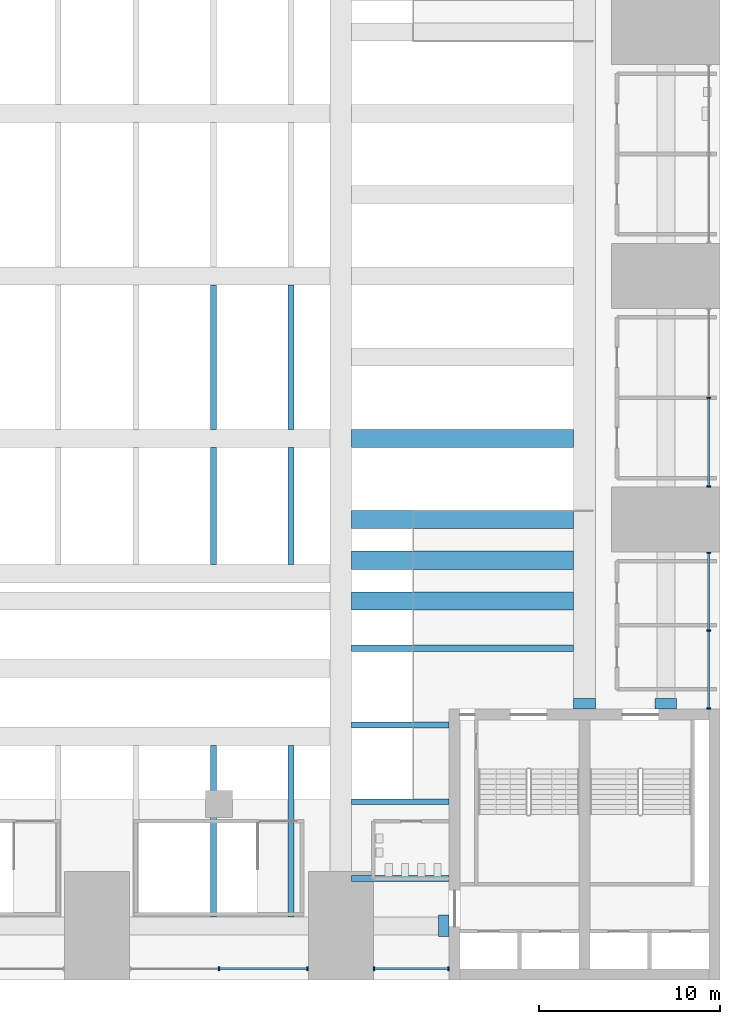
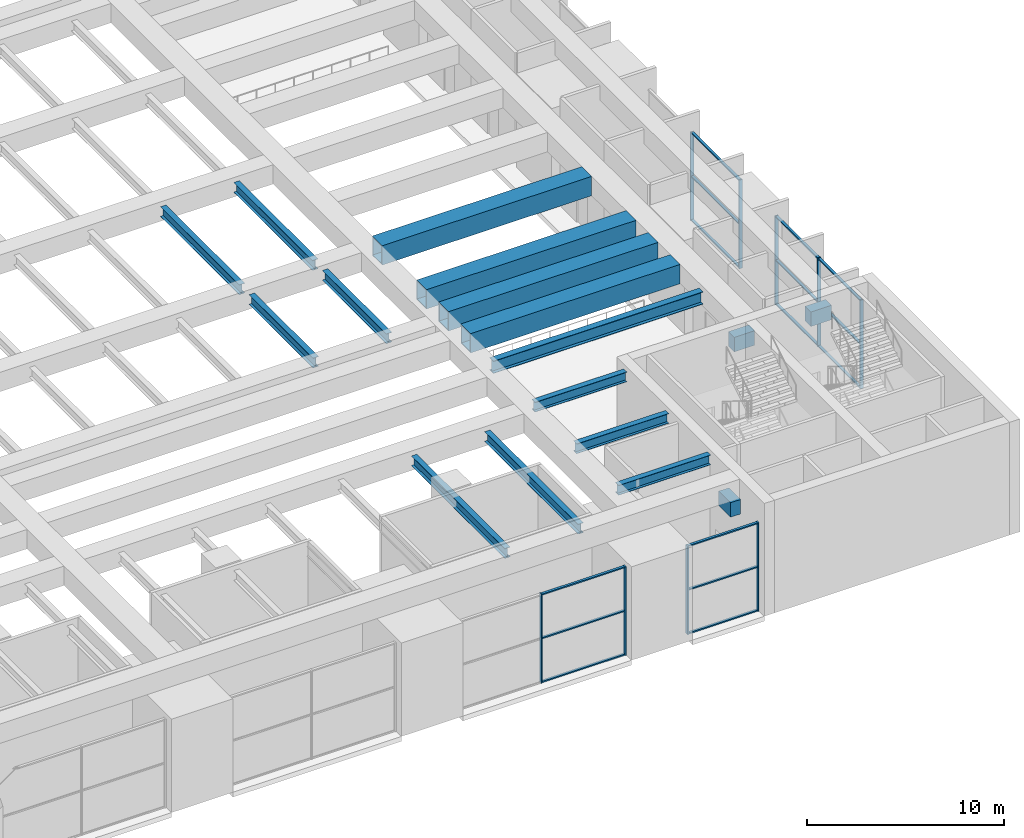
# One storey, part 14 of 45: 31 members, 10 beams, 4 elements without a shape of their own.
"""IFC4 building model written with IfcOpenShell, lengths in metres."""

import ifcopenshell
import ifcopenshell.guid

model = None  # the IFC model being written
_history = None  # IfcOwnerHistory: only IFC2X3 demands one
_inside = {}  # id of a spatial element -> (the spatial element, [elements in it])
_under = {}  # id of a project, library or spatial element -> (it, [spatial elements below it])
_declared = {}  # id of a project -> (the project, [libraries it declares])
_typed = {}  # id of a type object -> (the type object, [elements of that type])
_made_of = {}  # id of a material, layer set ... -> (it, [elements and type objects made of it])


def new_model(schema):
    """Start an empty IFC model of exactly this schema.

    Asked for "IFC4X3", IfcOpenShell would pick the latest addendum, in which some entities
    have other attributes; the version numbers below select the first issue.
    IFC2X3 requires an IfcOwnerHistory on every rooted entity: one is made here for all.
    """
    global model, _history
    if schema == "IFC4X3":
        model = ifcopenshell.file(schema_version=(4, 3, 0, 0))
    else:
        model = ifcopenshell.file(schema=schema)
    _inside.clear()
    _under.clear()
    _declared.clear()
    _typed.clear()
    _made_of.clear()
    _history = None
    if model.schema == "IFC2X3":
        org = make("IfcOrganization", Name="unknown")
        user = make(
            "IfcPersonAndOrganization",
            ThePerson=make("IfcPerson", FamilyName="unknown"),
            TheOrganization=org,
        )
        app = make(
            "IfcApplication",
            ApplicationDeveloper=org,
            Version="unknown",
            ApplicationFullName="unknown",
            ApplicationIdentifier="unknown",
        )
        _history = make(
            "IfcOwnerHistory",
            OwningUser=user,
            OwningApplication=app,
            ChangeAction="ADDED",
            CreationDate=0,
        )
    return model


def make(cls, **values):
    """One entity of the class cls with the attributes given. An attribute that is None is left unset."""
    return model.create_entity(
        cls, **{name: value for name, value in values.items() if value is not None}
    )


def rooted(cls, **values):
    """An entity with a GlobalId (a new one), such as an element, a storey or a relation."""
    return make(cls, GlobalId=ifcopenshell.guid.new(), OwnerHistory=_history, **values)


def si_unit(unit_type, name, prefix=None):
    """IfcSIUnit, for example si_unit("LENGTHUNIT", "METRE", prefix="MILLI")."""
    return make("IfcSIUnit", UnitType=unit_type, Prefix=prefix, Name=name)


def assignment(units):
    """IfcUnitAssignment: the units of a project."""
    return None if units is None else make("IfcUnitAssignment", Units=units)


def point(xyz):
    """IfcCartesianPoint."""
    return None if xyz is None else make("IfcCartesianPoint", Coordinates=xyz)


def direction(xyz):
    """IfcDirection."""
    return None if xyz is None else make("IfcDirection", DirectionRatios=xyz)


def frame(location, z_axis=None, x_axis=None):
    """IfcAxis2Placement3D, a coordinate frame: its origin and axes. An axis left out is left unset."""
    return make(
        "IfcAxis2Placement3D",
        Location=point(location),
        Axis=direction(z_axis),
        RefDirection=direction(x_axis),
    )


def frame_2d(location, x_axis=None):
    """IfcAxis2Placement2D, a coordinate frame in the plane: its origin and x axis."""
    return make(
        "IfcAxis2Placement2D", Location=point(location), RefDirection=direction(x_axis)
    )


def origin():
    """The frame at (0, 0, 0) with its axes left unset."""
    return frame((0.0, 0.0, 0.0))


def origin_2d():
    """The frame at (0, 0) in the plane with its x axis left unset."""
    return frame_2d((0.0, 0.0))


def place(relative_to, where):
    """IfcLocalPlacement: puts the frame where relative to a parent placement (None: the world)."""
    return make(
        "IfcLocalPlacement", PlacementRelTo=relative_to, RelativePlacement=where
    )


def context(
    kind, dimensions, precision=None, world=None, true_north=None, identifier=None
):
    """IfcGeometricRepresentationContext, for example the 3D "Model" context."""
    return make(
        "IfcGeometricRepresentationContext",
        ContextIdentifier=identifier,
        ContextType=kind,
        CoordinateSpaceDimension=dimensions,
        Precision=precision,
        WorldCoordinateSystem=world,
        TrueNorth=true_north,
    )


def subcontext(parent, identifier, kind, view, scale=None):
    """IfcGeometricRepresentationSubContext, for example "Body" below "Model"."""
    return make(
        "IfcGeometricRepresentationSubContext",
        ContextIdentifier=identifier,
        ContextType=kind,
        ParentContext=parent,
        TargetScale=scale,
        TargetView=view,
    )


def project(units=None, contexts=None):
    """IfcProject with its units and contexts."""
    return rooted(
        "IfcProject",
        Name="project",
        RepresentationContexts=contexts,
        UnitsInContext=assignment(units),
    )


def spatial(cls, under=None, at=None, **own):
    """A site, building, storey or space (cls), placed at a placement, below another one or the project."""
    s = rooted(cls, ObjectPlacement=at, **own)
    if under is not None:
        _under.setdefault(under.id(), (under, []))[1].append(s)
    return s


def profile(cls, at=None, kind="AREA", **sizes):
    """A parametric profile (cls). Its sizes go by their IFC names, for example OverallWidth=200.0."""
    return make(cls, ProfileType=kind, Position=at, **sizes)


def rectangle(**sizes):
    """IfcRectangleProfileDef."""
    return profile("IfcRectangleProfileDef", **sizes)


def hollow_rectangle(**sizes):
    """IfcRectangleHollowProfileDef."""
    return profile("IfcRectangleHollowProfileDef", **sizes)


def i_section(**sizes):
    """IfcIShapeProfileDef."""
    return profile("IfcIShapeProfileDef", **sizes)


def extrude(swept, where, along, depth):
    """IfcExtrudedAreaSolid: the profile swept, set in the frame where, extruded along a direction by depth."""
    return make(
        "IfcExtrudedAreaSolid",
        SweptArea=swept,
        Position=where,
        ExtrudedDirection=direction(along),
        Depth=depth,
    )


def shape(context_of_items, identifier, shape_type, items):
    """IfcShapeRepresentation: the items that make up one representation, for example the "Body"."""
    return make(
        "IfcShapeRepresentation",
        ContextOfItems=context_of_items,
        RepresentationIdentifier=identifier,
        RepresentationType=shape_type,
        Items=items,
    )


def material(Name=None, Category=None):
    """IfcMaterial."""
    return make("IfcMaterial", Name=Name, Category=Category)


def layer(
    of_material, thickness, ventilated=None, Name=None, Category=None, Priority=None
):
    """IfcMaterialLayer: one layer of a wall or slab, of a material (None: an air gap)."""
    return make(
        "IfcMaterialLayer",
        Material=of_material,
        LayerThickness=thickness,
        IsVentilated=ventilated,
        Name=Name,
        Category=Category,
        Priority=Priority,
    )


def layer_set(layers, Name=None):
    """IfcMaterialLayerSet."""
    return make("IfcMaterialLayerSet", MaterialLayers=layers, LayerSetName=Name)


def material_profile(
    of_material, cross_section, Name=None, Category=None, Priority=None
):
    """IfcMaterialProfile: a cross section and its material."""
    return make(
        "IfcMaterialProfile",
        Name=Name,
        Material=of_material,
        Profile=cross_section,
        Priority=Priority,
        Category=Category,
    )


def profile_set(profiles, Name=None, composite=None):
    """IfcMaterialProfileSet."""
    return make(
        "IfcMaterialProfileSet",
        Name=Name,
        MaterialProfiles=profiles,
        CompositeProfile=composite,
    )


def made_of(thing, what):
    """Note that an element or type object is made of a material, layer set ...; save() writes the relation."""
    if what is not None:
        _made_of.setdefault(what.id(), (what, []))[1].append(thing)
    return thing


def type_object(cls, material=None, **own):
    """A type object (cls), such as IfcWallType, which elements share."""
    return made_of(rooted(cls, **own), material)


def element(
    cls,
    number,
    at=None,
    inside=None,
    cuts=None,
    type_object=None,
    material=None,
    context=None,
    identifier="Body",
    shape_type=None,
    held_by="IfcProductDefinitionShape",
    body=None,
    shapes=None,
    **own,
):
    """One element of the class cls, such as IfcWall. Its Tag is "e" and its number.

    at: its placement. inside: the storey or other place that contains it. cuts: it is an
    opening in that element (IfcRelVoidsElement). A single representation is given by context,
    identifier, shape_type and body (its items); several are given by shapes. held_by: the class
    of the entity that holds the representations. save() writes the other relations.
    """
    e = rooted(cls, Tag="e%d" % number, ObjectPlacement=at, **own)
    if body is not None:
        shapes = [shape(context, identifier, shape_type, body)]
    if shapes is not None:
        e.Representation = make(held_by, Representations=shapes)
    if inside is not None:
        _inside.setdefault(inside.id(), (inside, []))[1].append(e)
    if cuts is not None:
        rooted(
            "IfcRelVoidsElement", RelatingBuildingElement=cuts, RelatedOpeningElement=e
        )
    if type_object is not None:
        _typed.setdefault(type_object.id(), (type_object, []))[1].append(e)
    return made_of(e, material)


def aggregate(whole, parts):
    """IfcRelAggregates: a whole, such as a stair, and the parts it consists of."""
    return rooted("IfcRelAggregates", RelatingObject=whole, RelatedObjects=parts)


def save(model, path):
    """Write the relations noted so far, then the file.

    IfcRelAggregates (storeys below a building ...), IfcRelContainedInSpatialStructure (elements
    in a storey), IfcRelDefinesByType, IfcRelAssociatesMaterial and IfcRelDeclares: one each for
    every whole, place, type object, material and project.
    """
    for whole, parts in _under.values():
        aggregate(whole, parts)
    for where, things in _inside.values():
        rooted(
            "IfcRelContainedInSpatialStructure",
            RelatedElements=things,
            RelatingStructure=where,
        )
    for kind, things in _typed.values():
        rooted("IfcRelDefinesByType", RelatedObjects=things, RelatingType=kind)
    for what, things in _made_of.values():
        rooted("IfcRelAssociatesMaterial", RelatedObjects=things, RelatingMaterial=what)
    for by, libraries in _declared.values():
        rooted("IfcRelDeclares", RelatingContext=by, RelatedDefinitions=libraries)
    model.write(path)


model = new_model("IFC4")

# Units and contexts
model_context = context("Model", 3, precision=1e-05, world=origin(), true_north=direction((0.0, 1.0)))
body_context = subcontext(model_context, "Body", "Model", "MODEL_VIEW")
ifc_project = project(units=[si_unit("LENGTHUNIT", "METRE"), si_unit("AREAUNIT", "SQUARE_METRE"), si_unit("VOLUMEUNIT", "CUBIC_METRE"), si_unit("PLANEANGLEUNIT", "RADIAN"), si_unit("MASSUNIT", "GRAM", prefix="KILO")], contexts=[model_context])

# Site, building, storey
site_placement = place(None, origin())
site = spatial("IfcSite", under=ifc_project, at=site_placement, CompositionType="ELEMENT")
building_placement = place(site_placement, origin())
building = spatial("IfcBuilding", under=site, at=building_placement, Name="Corbelhall Arena Tower", CompositionType="ELEMENT")
storey_placement = place(building_placement, frame((0.0, 0.0, 37.0)))
storey = spatial("IfcBuildingStorey", under=building, at=storey_placement, Name="L05", CompositionType="ELEMENT", Elevation=37.0)

# Curtain wall, members
ifc_material_1 = material(Name="Aluminium black anodised", Category="aluminium")
ifc_layer = layer(ifc_material_1, 0.239990234375)
ifc_layer_set = layer_set([ifc_layer], Name="EV-CW4 Arena concourse glazing")
curtain_wall_type = type_object("IfcCurtainWallType", Name="EV-CW4 Arena concourse glazing", PredefinedType="NOTDEFINED", material=ifc_layer_set)
curtain_wall_1_placement = place(storey_placement, origin())
curtain_wall_1 = element("IfcCurtainWall", 1, at=curtain_wall_1_placement, inside=storey, type_object=curtain_wall_type, Name="Curtain wall CW4", PredefinedType="NOTDEFINED")
ifc_material_profile_1 = material_profile(ifc_material_1, rectangle(XDim=0.199951171875, YDim=0.074951171875, at=origin_2d()))
ifc_profile_set_1 = profile_set([ifc_material_profile_1], Name="Aluminium black anodised")
member_type_1 = type_object("IfcMemberType", Name="EV-CW4-MULLION", PredefinedType="MULLION", material=ifc_profile_set_1)
member_1_placement = place(storey_placement, frame((20.25, -38.3798828125, 0.0), z_axis=(0.0, 0.0, 1.0), x_axis=(0.0, 1.0, 0.0)))
member_1 = element("IfcMember", 2, at=member_1_placement, type_object=member_type_1, Name="CW4 mullion 2", PredefinedType="MULLION", context=body_context, shape_type="SweptSolid", body=[
    extrude(rectangle(XDim=0.199951171875, YDim=0.074951171875, at=origin_2d()), origin(), (0.0, 0.0, 1.0), 5.5),
])
member_2_placement = place(storey_placement, frame((25.16259765625, -38.3798828125, 0.0), z_axis=(0.0, 0.0, 1.0), x_axis=(0.0, 1.0, 0.0)))
member_2 = element("IfcMember", 3, at=member_2_placement, type_object=member_type_1, Name="CW4 mullion 3", PredefinedType="MULLION", context=body_context, shape_type="SweptSolid", body=[
    extrude(rectangle(XDim=0.199951171875, YDim=0.074951171875, at=origin_2d()), origin(), (0.0, 0.0, 1.0), 5.5),
])

curtain_wall_2_placement = place(storey_placement, origin())
curtain_wall_2 = element("IfcCurtainWall", 4, at=curtain_wall_2_placement, inside=storey, type_object=curtain_wall_type, Name="Curtain wall CW4A", PredefinedType="NOTDEFINED")
member_3_placement = place(storey_placement, frame((28.83740234375, -38.3798828125, 0.0), z_axis=(0.0, 0.0, 1.0), x_axis=(0.0, 1.0, 0.0)))
member_3 = element("IfcMember", 5, at=member_3_placement, type_object=member_type_1, Name="CW4A mullion 1", PredefinedType="MULLION", context=body_context, shape_type="SweptSolid", body=[
    extrude(rectangle(XDim=0.199951171875, YDim=0.074951171875, at=origin_2d()), origin(), (0.0, 0.0, 1.0), 5.5),
])
member_4_placement = place(storey_placement, frame((32.96240234375, -38.3798828125, 0.0), z_axis=(0.0, 0.0, 1.0), x_axis=(0.0, 1.0, 0.0)))
member_4 = element("IfcMember", 6, at=member_4_placement, type_object=member_type_1, Name="CW4A mullion 2", PredefinedType="MULLION", context=body_context, shape_type="SweptSolid", body=[
    extrude(rectangle(XDim=0.199951171875, YDim=0.074951171875, at=origin_2d()), origin(), (0.0, 0.0, 1.0), 5.5),
])

curtain_wall_3_placement = place(storey_placement, origin())
curtain_wall_3 = element("IfcCurtainWall", 7, at=curtain_wall_3_placement, inside=storey, type_object=curtain_wall_type, Name="Curtain wall CW4B", PredefinedType="NOTDEFINED")
member_5_placement = place(storey_placement, frame((47.3798828125, -23.96240234375, 0.0), z_axis=(0.0, 0.0, 1.0), x_axis=(-1.0, 0.0, 0.0)))
member_5 = element("IfcMember", 8, at=member_5_placement, type_object=member_type_1, Name="CW4B mullion 1", PredefinedType="MULLION", context=body_context, shape_type="SweptSolid", body=[
    extrude(rectangle(XDim=0.199951171875, YDim=0.074951171875, at=origin_2d()), origin(), (0.0, 0.0, 1.0), 5.5),
])
member_6_placement = place(storey_placement, frame((47.3798828125, -19.64990234375, 0.0), z_axis=(0.0, 0.0, 1.0), x_axis=(-1.0, 0.0, 0.0)))
member_6 = element("IfcMember", 9, at=member_6_placement, type_object=member_type_1, Name="CW4B mullion 2", PredefinedType="MULLION", context=body_context, shape_type="SweptSolid", body=[
    extrude(rectangle(XDim=0.199951171875, YDim=0.074951171875, at=origin_2d()), origin(), (0.0, 0.0, 1.0), 5.5),
])
member_7_placement = place(storey_placement, frame((47.3798828125, -15.33740234375, 0.0), z_axis=(0.0, 0.0, 1.0), x_axis=(-1.0, 0.0, 0.0)))
member_7 = element("IfcMember", 10, at=member_7_placement, type_object=member_type_1, Name="CW4B mullion 3", PredefinedType="MULLION", context=body_context, shape_type="SweptSolid", body=[
    extrude(rectangle(XDim=0.199951171875, YDim=0.074951171875, at=origin_2d()), origin(), (0.0, 0.0, 1.0), 5.5),
])

curtain_wall_4_placement = place(storey_placement, origin())
curtain_wall_4 = element("IfcCurtainWall", 11, at=curtain_wall_4_placement, inside=storey, type_object=curtain_wall_type, Name="Curtain wall CW4", PredefinedType="NOTDEFINED")
member_8_placement = place(storey_placement, frame((47.3798828125, -11.66259765625, 0.0), z_axis=(0.0, 0.0, 1.0), x_axis=(-1.0, 0.0, 0.0)))
member_8 = element("IfcMember", 12, at=member_8_placement, type_object=member_type_1, Name="CW4 mullion 1", PredefinedType="MULLION", context=body_context, shape_type="SweptSolid", body=[
    extrude(rectangle(XDim=0.199951171875, YDim=0.074951171875, at=origin_2d()), origin(), (0.0, 0.0, 1.0), 5.5),
])
member_9_placement = place(storey_placement, frame((47.3798828125, -6.75, 0.0), z_axis=(0.0, 0.0, 1.0), x_axis=(-1.0, 0.0, 0.0)))
member_9 = element("IfcMember", 13, at=member_9_placement, type_object=member_type_1, Name="CW4 mullion 2", PredefinedType="MULLION", context=body_context, shape_type="SweptSolid", body=[
    extrude(rectangle(XDim=0.199951171875, YDim=0.074951171875, at=origin_2d()), origin(), (0.0, 0.0, 1.0), 5.5),
])

# Member
ifc_material_profile_2 = material_profile(ifc_material_1, rectangle(XDim=0.14990234375, YDim=0.074951171875, at=origin_2d()))
ifc_profile_set_2 = profile_set([ifc_material_profile_2], Name="Aluminium black anodised")
member_type_2 = type_object("IfcMemberType", Name="EV-CW4-TRANSOM", PredefinedType="USERDEFINED", material=ifc_profile_set_2)
member_10_placement = place(storey_placement, frame((20.28759765625, -38.3798828125, 0.03759765625), z_axis=(1.0, 0.0, 0.0), x_axis=(0.0, 1.0, 0.0)))
member_10 = element("IfcMember", 14, at=member_10_placement, type_object=member_type_2, Name="CW4 transom 2.1", ObjectType="transom", PredefinedType="USERDEFINED", context=body_context, shape_type="SweptSolid", body=[
    extrude(rectangle(XDim=0.14990234375, YDim=0.074951171875, at=origin_2d()), origin(), (0.0, 0.0, 1.0), 4.83740234375),
])

member_11_placement = place(storey_placement, frame((20.28759765625, -38.3798828125, 2.75), z_axis=(1.0, 0.0, 0.0), x_axis=(0.0, 1.0, 0.0)))
member_11 = element("IfcMember", 15, at=member_11_placement, type_object=member_type_2, Name="CW4 transom 2.2", ObjectType="transom", PredefinedType="USERDEFINED", context=body_context, shape_type="SweptSolid", body=[
    extrude(rectangle(XDim=0.14990234375, YDim=0.074951171875, at=origin_2d()), origin(), (0.0, 0.0, 1.0), 4.83740234375),
])

member_12_placement = place(storey_placement, frame((20.28759765625, -38.3798828125, 5.46240234375), z_axis=(1.0, 0.0, 0.0), x_axis=(0.0, 1.0, 0.0)))
member_12 = element("IfcMember", 16, at=member_12_placement, type_object=member_type_2, Name="CW4 transom 2.3", ObjectType="transom", PredefinedType="USERDEFINED", context=body_context, shape_type="SweptSolid", body=[
    extrude(rectangle(XDim=0.14990234375, YDim=0.074951171875, at=origin_2d()), origin(), (0.0, 0.0, 1.0), 4.83740234375),
])

aggregate(curtain_wall_1, [member_1, member_2, member_10, member_11, member_12])

member_13_placement = place(storey_placement, frame((28.875, -38.3798828125, 0.03759765625), z_axis=(1.0, 0.0, 0.0), x_axis=(0.0, 1.0, 0.0)))
member_13 = element("IfcMember", 17, at=member_13_placement, type_object=member_type_2, Name="CW4A transom 1.1", ObjectType="transom", PredefinedType="USERDEFINED", context=body_context, shape_type="SweptSolid", body=[
    extrude(rectangle(XDim=0.14990234375, YDim=0.074951171875, at=origin_2d()), origin(), (0.0, 0.0, 1.0), 4.050048828125),
])

member_14_placement = place(storey_placement, frame((28.875, -38.3798828125, 2.75), z_axis=(1.0, 0.0, 0.0), x_axis=(0.0, 1.0, 0.0)))
member_14 = element("IfcMember", 18, at=member_14_placement, type_object=member_type_2, Name="CW4A transom 1.2", ObjectType="transom", PredefinedType="USERDEFINED", context=body_context, shape_type="SweptSolid", body=[
    extrude(rectangle(XDim=0.14990234375, YDim=0.074951171875, at=origin_2d()), origin(), (0.0, 0.0, 1.0), 4.050048828125),
])

member_15_placement = place(storey_placement, frame((28.875, -38.3798828125, 5.46240234375), z_axis=(1.0, 0.0, 0.0), x_axis=(0.0, 1.0, 0.0)))
member_15 = element("IfcMember", 19, at=member_15_placement, type_object=member_type_2, Name="CW4A transom 1.3", ObjectType="transom", PredefinedType="USERDEFINED", context=body_context, shape_type="SweptSolid", body=[
    extrude(rectangle(XDim=0.14990234375, YDim=0.074951171875, at=origin_2d()), origin(), (0.0, 0.0, 1.0), 4.050048828125),
])

aggregate(curtain_wall_2, [member_3, member_4, member_13, member_14, member_15])

member_16_placement = place(storey_placement, frame((47.3798828125, -23.925048828125, 0.03759765625), z_axis=(0.0, 1.0, 0.0), x_axis=(-1.0, 0.0, 0.0)))
member_16 = element("IfcMember", 20, at=member_16_placement, type_object=member_type_2, Name="CW4B transom 1.1", ObjectType="transom", PredefinedType="USERDEFINED", context=body_context, shape_type="SweptSolid", body=[
    extrude(rectangle(XDim=0.14990234375, YDim=0.074951171875, at=origin_2d()), origin(), (0.0, 0.0, 1.0), 4.237548828125),
])

member_17_placement = place(storey_placement, frame((47.3798828125, -23.925048828125, 2.75), z_axis=(0.0, 1.0, 0.0), x_axis=(-1.0, 0.0, 0.0)))
member_17 = element("IfcMember", 21, at=member_17_placement, type_object=member_type_2, Name="CW4B transom 1.2", ObjectType="transom", PredefinedType="USERDEFINED", context=body_context, shape_type="SweptSolid", body=[
    extrude(rectangle(XDim=0.14990234375, YDim=0.074951171875, at=origin_2d()), origin(), (0.0, 0.0, 1.0), 4.237548828125),
])

member_18_placement = place(storey_placement, frame((47.3798828125, -23.925048828125, 5.46240234375), z_axis=(0.0, 1.0, 0.0), x_axis=(-1.0, 0.0, 0.0)))
member_18 = element("IfcMember", 22, at=member_18_placement, type_object=member_type_2, Name="CW4B transom 1.3", ObjectType="transom", PredefinedType="USERDEFINED", context=body_context, shape_type="SweptSolid", body=[
    extrude(rectangle(XDim=0.14990234375, YDim=0.074951171875, at=origin_2d()), origin(), (0.0, 0.0, 1.0), 4.237548828125),
])

member_19_placement = place(storey_placement, frame((47.3798828125, -19.612548828125, 0.03759765625), z_axis=(0.0, 1.0, 0.0), x_axis=(-1.0, 0.0, 0.0)))
member_19 = element("IfcMember", 23, at=member_19_placement, type_object=member_type_2, Name="CW4B transom 2.1", ObjectType="transom", PredefinedType="USERDEFINED", context=body_context, shape_type="SweptSolid", body=[
    extrude(rectangle(XDim=0.14990234375, YDim=0.074951171875, at=origin_2d()), origin(), (0.0, 0.0, 1.0), 4.237548828125),
])

member_20_placement = place(storey_placement, frame((47.3798828125, -19.612548828125, 2.75), z_axis=(0.0, 1.0, 0.0), x_axis=(-1.0, 0.0, 0.0)))
member_20 = element("IfcMember", 24, at=member_20_placement, type_object=member_type_2, Name="CW4B transom 2.2", ObjectType="transom", PredefinedType="USERDEFINED", context=body_context, shape_type="SweptSolid", body=[
    extrude(rectangle(XDim=0.14990234375, YDim=0.074951171875, at=origin_2d()), origin(), (0.0, 0.0, 1.0), 4.237548828125),
])

member_21_placement = place(storey_placement, frame((47.3798828125, -19.612548828125, 5.46240234375), z_axis=(0.0, 1.0, 0.0), x_axis=(-1.0, 0.0, 0.0)))
member_21 = element("IfcMember", 25, at=member_21_placement, type_object=member_type_2, Name="CW4B transom 2.3", ObjectType="transom", PredefinedType="USERDEFINED", context=body_context, shape_type="SweptSolid", body=[
    extrude(rectangle(XDim=0.14990234375, YDim=0.074951171875, at=origin_2d()), origin(), (0.0, 0.0, 1.0), 4.237548828125),
])

aggregate(curtain_wall_3, [member_5, member_6, member_7, member_16, member_17, member_18, member_19, member_20, member_21])

member_22_placement = place(storey_placement, frame((47.3798828125, -11.625, 0.03759765625), z_axis=(0.0, 1.0, 0.0), x_axis=(-1.0, 0.0, 0.0)))
member_22 = element("IfcMember", 26, at=member_22_placement, type_object=member_type_2, Name="CW4 transom 1.1", ObjectType="transom", PredefinedType="USERDEFINED", context=body_context, shape_type="SweptSolid", body=[
    extrude(rectangle(XDim=0.14990234375, YDim=0.074951171875, at=origin_2d()), origin(), (0.0, 0.0, 1.0), 4.83740234375),
])

member_23_placement = place(storey_placement, frame((47.3798828125, -11.625, 2.75), z_axis=(0.0, 1.0, 0.0), x_axis=(-1.0, 0.0, 0.0)))
member_23 = element("IfcMember", 27, at=member_23_placement, type_object=member_type_2, Name="CW4 transom 1.2", ObjectType="transom", PredefinedType="USERDEFINED", context=body_context, shape_type="SweptSolid", body=[
    extrude(rectangle(XDim=0.14990234375, YDim=0.074951171875, at=origin_2d()), origin(), (0.0, 0.0, 1.0), 4.83740234375),
])

member_24_placement = place(storey_placement, frame((47.3798828125, -11.625, 5.46240234375), z_axis=(0.0, 1.0, 0.0), x_axis=(-1.0, 0.0, 0.0)))
member_24 = element("IfcMember", 28, at=member_24_placement, type_object=member_type_2, Name="CW4 transom 1.3", ObjectType="transom", PredefinedType="USERDEFINED", context=body_context, shape_type="SweptSolid", body=[
    extrude(rectangle(XDim=0.14990234375, YDim=0.074951171875, at=origin_2d()), origin(), (0.0, 0.0, 1.0), 4.83740234375),
])

aggregate(curtain_wall_4, [member_8, member_9, member_22, member_23, member_24])

# Beams
ifc_material_2 = material(Name="Steel ASTM A992 Gr50", Category="steel")
ifc_material_profile_3 = material_profile(ifc_material_2, i_section(OverallWidth=0.323974609375, OverallDepth=0.611083984375, WebThickness=0.0126953125, FlangeThickness=0.01904296875, at=origin_2d()))
ifc_profile_set_3 = profile_set([ifc_material_profile_3], Name="Steel ASTM A992 Gr50")
beam_type_1 = type_object("IfcBeamType", Name="PO-BEAM-W24X104", PredefinedType="BEAM", material=ifc_profile_set_3)
for number, where, z_axis, x_axis, name in (
    (29, (19.949951171875, -35.5, 6.39453125), (0.0, 1.0, 0.0), (-1.0, 0.0, 0.0), "DECK BEAM BOT 28.5"),
    (30, (24.25, -35.5, 6.39453125), (0.0, 1.0, 0.0), (-1.0, 0.0, 0.0), "DECK BEAM BOT 28.6"),
):
    element("IfcBeam", number, at=place(storey_placement, frame(where, z_axis=z_axis, x_axis=x_axis)), inside=storey, type_object=beam_type_1, Name=name, PredefinedType="BEAM", context=body_context, shape_type="SweptSolid", body=[
        extrude(i_section(OverallWidth=0.323974609375, OverallDepth=0.611083984375, WebThickness=0.0126953125, FlangeThickness=0.01904296875, at=origin_2d()), origin(), (0.0, 0.0, 1.0), 9.5),
    ])
for number, where, z_axis, x_axis, name in (
    (31, (19.949951171875, -16.0, 6.39453125), (0.0, 1.0, 0.0), (-1.0, 0.0, 0.0), "DECK BEAM BOT 32.5"),
    (32, (24.25, -16.0, 6.39453125), (0.0, 1.0, 0.0), (-1.0, 0.0, 0.0), "DECK BEAM BOT 32.6"),
):
    element("IfcBeam", number, at=place(storey_placement, frame(where, z_axis=z_axis, x_axis=x_axis)), inside=storey, type_object=beam_type_1, Name=name, PredefinedType="BEAM", context=body_context, shape_type="SweptSolid", body=[
        extrude(i_section(OverallWidth=0.323974609375, OverallDepth=0.611083984375, WebThickness=0.0126953125, FlangeThickness=0.01904296875, at=origin_2d()), origin(), (0.0, 0.0, 1.0), 6.5),
    ])
for number, where, z_axis, x_axis, name in (
    (33, (19.949951171875, -8.5, 6.39453125), (0.0, 1.0, 0.0), (-1.0, 0.0, 0.0), "DECK BEAM BOT 33.5"),
    (34, (24.25, -8.5, 6.39453125), (0.0, 1.0, 0.0), (-1.0, 0.0, 0.0), "DECK BEAM BOT 33.6"),
):
    element("IfcBeam", number, at=place(storey_placement, frame(where, z_axis=z_axis, x_axis=x_axis)), inside=storey, type_object=beam_type_1, Name=name, PredefinedType="BEAM", context=body_context, shape_type="SweptSolid", body=[
        extrude(i_section(OverallWidth=0.323974609375, OverallDepth=0.611083984375, WebThickness=0.0126953125, FlangeThickness=0.01904296875, at=origin_2d()), origin(), (0.0, 0.0, 1.0), 8.0),
    ])
for number, where, z_axis, x_axis, name in (
    (35, (27.60009765625, -33.375, 6.39453125), (1.0, 0.0, 0.0), (0.0, 1.0, 0.0), "DECK BEAM BOT 40.1"),
    (36, (27.60009765625, -29.125, 6.39453125), (1.0, 0.0, 0.0), (0.0, 1.0, 0.0), "DECK BEAM BOT 40.2"),
    (37, (27.60009765625, -24.875, 6.39453125), (1.0, 0.0, 0.0), (0.0, 1.0, 0.0), "DECK BEAM BOT 40.3"),
):
    element("IfcBeam", number, at=place(storey_placement, frame(where, z_axis=z_axis, x_axis=x_axis)), inside=storey, type_object=beam_type_1, Name=name, PredefinedType="BEAM", context=body_context, shape_type="SweptSolid", body=[
        extrude(i_section(OverallWidth=0.323974609375, OverallDepth=0.611083984375, WebThickness=0.0126953125, FlangeThickness=0.01904296875, at=origin_2d()), origin(), (0.0, 0.0, 1.0), 5.39990234375),
    ])
ifc_material_profile_4 = material_profile(ifc_material_2, i_section(OverallWidth=0.381103515625, OverallDepth=0.77294921875, WebThickness=0.0166015625, FlangeThickness=0.027099609375, at=origin_2d()))
ifc_profile_set_4 = profile_set([ifc_material_profile_4], Name="Steel ASTM A992 Gr50")
beam_type_2 = type_object("IfcBeamType", Name="PO-BEAM-W30X173", PredefinedType="BEAM", material=ifc_profile_set_4)
beam_placement = place(storey_placement, frame((27.60009765625, -20.625, 6.3134765625), z_axis=(1.0, 0.0, 0.0), x_axis=(0.0, 1.0, 0.0)))
element("IfcBeam", 38, at=beam_placement, inside=storey, type_object=beam_type_2, Name="DECK BEAM BOT 40.4", PredefinedType="BEAM", context=body_context, shape_type="SweptSolid", body=[
    extrude(i_section(OverallWidth=0.381103515625, OverallDepth=0.77294921875, WebThickness=0.0166015625, FlangeThickness=0.027099609375, at=origin_2d()), origin(), (0.0, 0.0, 1.0), 12.2998046875),
])

# Members
ifc_material_3 = material(Name="Steel ASTM A572 Gr50", Category="steel")
ifc_material_profile_5 = material_profile(ifc_material_3, hollow_rectangle(XDim=1.0, YDim=1.199951171875, WallThickness=0.06005859375, at=origin_2d()))
ifc_profile_set_5 = profile_set([ifc_material_profile_5], Name="Steel ASTM A572 Gr50")
member_type_3 = type_object("IfcMemberType", Name="PO-CHORD-1200X1000X60", PredefinedType="CHORD", material=ifc_profile_set_5)
for number, where, z_axis, x_axis, name in (
    (39, (27.60009765625, -18.0, 6.39990234375), (1.0, 0.0, 0.0), (0.0, 1.0, 0.0), "TRUSS SEC-S18.00-3 BOT CHORD"),
    (40, (27.60009765625, -15.75, 6.39990234375), (1.0, 0.0, 0.0), (0.0, 1.0, 0.0), "TRUSS SEC-S15.75-3 BOT CHORD"),
    (41, (27.60009765625, -13.5, 6.39990234375), (1.0, 0.0, 0.0), (0.0, 1.0, 0.0), "TRUSS SEC-S13.50-3 BOT CHORD"),
    (42, (27.60009765625, -9.0, 6.39990234375), (1.0, 0.0, 0.0), (0.0, 1.0, 0.0), "TRUSS SEC-S09.00-3 BOT CHORD"),
):
    element("IfcMember", number, at=place(storey_placement, frame(where, z_axis=z_axis, x_axis=x_axis)), inside=storey, type_object=member_type_3, Name=name, PredefinedType="CHORD", context=body_context, shape_type="SweptSolid", body=[
        extrude(hollow_rectangle(XDim=1.0, YDim=1.199951171875, WallThickness=0.06005859375, at=origin_2d()), origin(), (0.0, 0.0, 1.0), 12.2998046875),
    ])
ifc_material_4 = material(Name="Concrete C80/95", Category="concrete")
ifc_material_profile_6 = material_profile(ifc_material_4, rectangle(XDim=1.199951171875, YDim=0.89990234375, at=origin_2d()))
ifc_profile_set_6 = profile_set([ifc_material_profile_6], Name="Concrete C80/95")
member_type_4 = type_object("IfcMemberType", Name="PO-CORBEL", PredefinedType="MEMBER", material=ifc_profile_set_6)
for number, where, z_axis, x_axis, name in (
    (43, (40.5, -24.0, 5.35009765625), (0.0, 1.0, 0.0), (-1.0, 0.0, 0.0), "CORBEL SE PRI"),
    (44, (33.0, -36.0, 5.35009765625), (-1.0, 0.0, 0.0), (0.0, -1.0, 0.0), "CORBEL SE EDGENS"),
    (45, (45.0, -24.0, 5.35009765625), (0.0, 1.0, 0.0), (-1.0, 0.0, 0.0), "CORBEL SE EDGEEW"),
):
    element("IfcMember", number, at=place(storey_placement, frame(where, z_axis=z_axis, x_axis=x_axis)), inside=storey, type_object=member_type_4, Name=name, PredefinedType="MEMBER", context=body_context, shape_type="SweptSolid", body=[
        extrude(rectangle(XDim=1.199951171875, YDim=0.89990234375, at=origin_2d()), origin(), (0.0, 0.0, 1.0), 0.60009765625),
    ])

save(model, "model.ifc")
